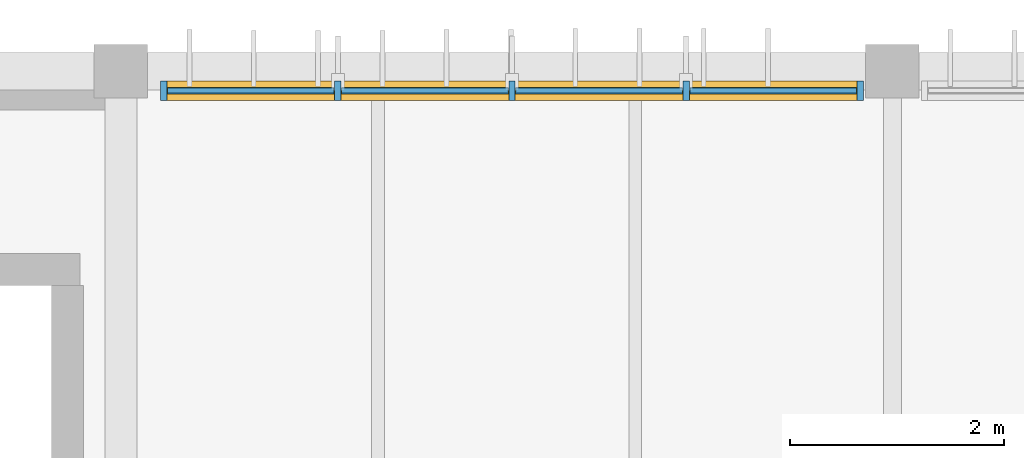
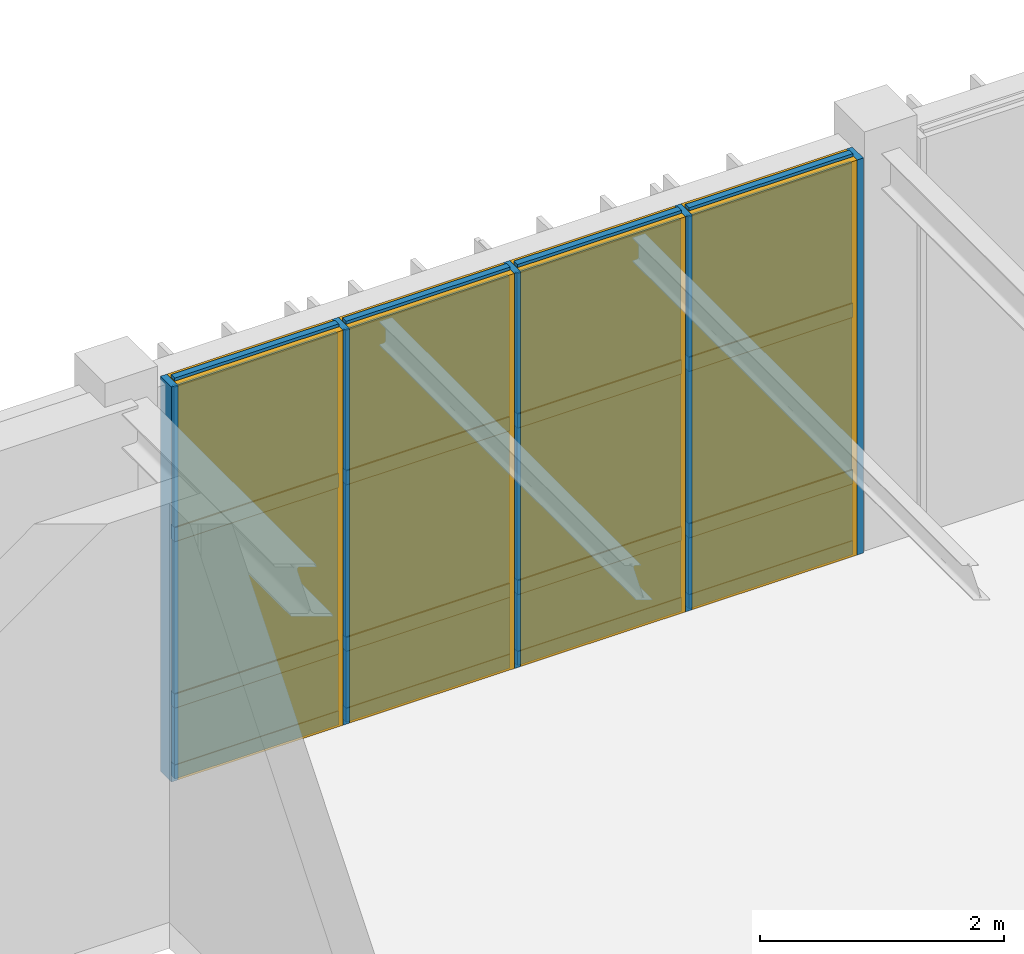
# One storey, part 84 of 104: 21 members, 12 plates, 1 curtain wall.
"""IFC4 building model written with IfcOpenShell, lengths in metres."""

from ifc_helpers import new_model, si_unit, direction, frame, frame_2d, origin, origin_2d, place, context, subcontext, project, spatial, rectangle, extrude, material, layer, layer_set, material_profile, profile_set, type_object, element, aggregate, save


model = new_model("IFC4")

# Units and contexts
model_context = context("Model", 3, precision=1e-05, world=origin(), true_north=direction((0.0, 1.0)))
body_context = subcontext(model_context, "Body", "Model", "MODEL_VIEW")
ifc_project = project(units=[si_unit("LENGTHUNIT", "METRE"), si_unit("AREAUNIT", "SQUARE_METRE"), si_unit("VOLUMEUNIT", "CUBIC_METRE"), si_unit("PLANEANGLEUNIT", "RADIAN"), si_unit("MASSUNIT", "GRAM", prefix="KILO")], contexts=[model_context])

# Member
ifc_material_1 = material(Name="Anodised Bronze Aluminium 6063-T6", Category="aluminium")
ifc_material_profile_1 = material_profile(ifc_material_1, rectangle(XDim=0.06005859375, YDim=0.179931640625, at=origin_2d()), Name="ALU MULLION 60x180")
ifc_profile_set_1 = profile_set([ifc_material_profile_1], Name="Anodised Bronze Aluminium 6063-T6")
member_type_1 = type_object("IfcMemberType", Name="Curtain-Wall Primary Mullion 60x180", PredefinedType="MULLION", material=ifc_profile_set_1)
site_placement = place(None, origin())
building_placement = place(site_placement, origin())
storey_placement = place(building_placement, frame((0.0, 0.0, 9.0)))
member_1_placement = place(storey_placement, frame((103.0, 111.6201171875, 0.0), z_axis=(0.0, 0.0, 1.0), x_axis=(1.0, 0.0, 0.0)))
member_1 = element("IfcMember", 1, at=member_1_placement, type_object=member_type_1, Name="Mullion CWM-01 CW-V3-N1-L02-B1-M01", PredefinedType="MULLION", context=body_context, shape_type="SweptSolid", body=[
    extrude(rectangle(XDim=0.06005859375, YDim=0.179931640625, at=origin_2d()), origin(), (0.0, 0.0, 1.0), 3.9599609375),
])

member_2_placement = place(storey_placement, frame((104.625, 111.6201171875, 0.0), z_axis=(0.0, 0.0, 1.0), x_axis=(1.0, 0.0, 0.0)))
member_2 = element("IfcMember", 2, at=member_2_placement, type_object=member_type_1, Name="Mullion CWM-01 CW-V3-N1-L02-B1-M02", PredefinedType="MULLION", context=body_context, shape_type="SweptSolid", body=[
    extrude(rectangle(XDim=0.06005859375, YDim=0.179931640625, at=origin_2d()), origin(), (0.0, 0.0, 1.0), 3.9599609375),
])

member_3_placement = place(storey_placement, frame((106.25, 111.6201171875, 0.0), z_axis=(0.0, 0.0, 1.0), x_axis=(1.0, 0.0, 0.0)))
member_3 = element("IfcMember", 3, at=member_3_placement, type_object=member_type_1, Name="Mullion CWM-01 CW-V3-N1-L02-B1-M03", PredefinedType="MULLION", context=body_context, shape_type="SweptSolid", body=[
    extrude(rectangle(XDim=0.06005859375, YDim=0.179931640625, at=origin_2d()), origin(), (0.0, 0.0, 1.0), 3.9599609375),
])

member_4_placement = place(storey_placement, frame((107.875, 111.6201171875, 0.0), z_axis=(0.0, 0.0, 1.0), x_axis=(1.0, 0.0, 0.0)))
member_4 = element("IfcMember", 4, at=member_4_placement, type_object=member_type_1, Name="Mullion CWM-01 CW-V3-N1-L02-B1-M04", PredefinedType="MULLION", context=body_context, shape_type="SweptSolid", body=[
    extrude(rectangle(XDim=0.06005859375, YDim=0.179931640625, at=origin_2d()), origin(), (0.0, 0.0, 1.0), 3.9599609375),
])

member_5_placement = place(storey_placement, frame((109.5, 111.6201171875, 0.0), z_axis=(0.0, 0.0, 1.0), x_axis=(1.0, 0.0, 0.0)))
member_5 = element("IfcMember", 5, at=member_5_placement, type_object=member_type_1, Name="Mullion CWM-01 CW-V3-N1-L02-B1-M05", PredefinedType="MULLION", context=body_context, shape_type="SweptSolid", body=[
    extrude(rectangle(XDim=0.06005859375, YDim=0.179931640625, at=origin_2d()), origin(), (0.0, 0.0, 1.0), 3.9599609375),
])

ifc_material_profile_2 = material_profile(ifc_material_1, rectangle(XDim=0.06005859375, YDim=0.139892578125, at=origin_2d()), Name="ALU TRANSOM 60x140")
ifc_profile_set_2 = profile_set([ifc_material_profile_2], Name="Anodised Bronze Aluminium 6063-T6")
member_type_2 = type_object("IfcMemberType", Name="Curtain-Wall Transom 60x140", PredefinedType="USERDEFINED", material=ifc_profile_set_2)
member_6_placement = place(storey_placement, frame((103.034912109375, 111.6201171875, 0.0400390625), z_axis=(1.0, 0.0, 0.0), x_axis=(0.0, 1.0, 0.0)))
member_6 = element("IfcMember", 6, at=member_6_placement, type_object=member_type_2, Name="Transom CWT-01 CW-V3-N1-L02-B1-T01.1", ObjectType="TRANSOM", PredefinedType="USERDEFINED", context=body_context, shape_type="SweptSolid", body=[
    extrude(rectangle(XDim=0.06005859375, YDim=0.139892578125, at=origin_2d()), origin(), (0.0, 0.0, 1.0), 1.55517578125),
])

member_7_placement = place(storey_placement, frame((103.034912109375, 111.6201171875, 0.75), z_axis=(1.0, 0.0, 0.0), x_axis=(0.0, 1.0, 0.0)))
member_7 = element("IfcMember", 7, at=member_7_placement, type_object=member_type_2, Name="Transom CWT-01 CW-V3-N1-L02-B1-T01.2", ObjectType="TRANSOM", PredefinedType="USERDEFINED", context=body_context, shape_type="SweptSolid", body=[
    extrude(rectangle(XDim=0.06005859375, YDim=0.139892578125, at=origin_2d()), origin(), (0.0, 0.0, 1.0), 1.55517578125),
])

member_8_placement = place(storey_placement, frame((103.034912109375, 111.6201171875, 2.419189453125), z_axis=(1.0, 0.0, 0.0), x_axis=(0.0, 1.0, 0.0)))
member_8 = element("IfcMember", 8, at=member_8_placement, type_object=member_type_2, Name="Transom CWT-01 CW-V3-N1-L02-B1-T01.3", ObjectType="TRANSOM", PredefinedType="USERDEFINED", context=body_context, shape_type="SweptSolid", body=[
    extrude(rectangle(XDim=0.06005859375, YDim=0.139892578125, at=origin_2d()), origin(), (0.0, 0.0, 1.0), 1.55517578125),
])

member_9_placement = place(storey_placement, frame((103.034912109375, 111.6201171875, 3.919921875), z_axis=(1.0, 0.0, 0.0), x_axis=(0.0, 1.0, 0.0)))
member_9 = element("IfcMember", 9, at=member_9_placement, type_object=member_type_2, Name="Transom CWT-01 CW-V3-N1-L02-B1-T01.4", ObjectType="TRANSOM", PredefinedType="USERDEFINED", context=body_context, shape_type="SweptSolid", body=[
    extrude(rectangle(XDim=0.06005859375, YDim=0.139892578125, at=origin_2d()), origin(), (0.0, 0.0, 1.0), 1.55517578125),
])

member_10_placement = place(storey_placement, frame((104.659912109375, 111.6201171875, 0.0400390625), z_axis=(1.0, 0.0, 0.0), x_axis=(0.0, 1.0, 0.0)))
member_10 = element("IfcMember", 10, at=member_10_placement, type_object=member_type_2, Name="Transom CWT-01 CW-V3-N1-L02-B1-T02.1", ObjectType="TRANSOM", PredefinedType="USERDEFINED", context=body_context, shape_type="SweptSolid", body=[
    extrude(rectangle(XDim=0.06005859375, YDim=0.139892578125, at=origin_2d()), origin(), (0.0, 0.0, 1.0), 1.55517578125),
])

member_11_placement = place(storey_placement, frame((104.659912109375, 111.6201171875, 0.75), z_axis=(1.0, 0.0, 0.0), x_axis=(0.0, 1.0, 0.0)))
member_11 = element("IfcMember", 11, at=member_11_placement, type_object=member_type_2, Name="Transom CWT-01 CW-V3-N1-L02-B1-T02.2", ObjectType="TRANSOM", PredefinedType="USERDEFINED", context=body_context, shape_type="SweptSolid", body=[
    extrude(rectangle(XDim=0.06005859375, YDim=0.139892578125, at=origin_2d()), origin(), (0.0, 0.0, 1.0), 1.55517578125),
])

member_12_placement = place(storey_placement, frame((104.659912109375, 111.6201171875, 2.419189453125), z_axis=(1.0, 0.0, 0.0), x_axis=(0.0, 1.0, 0.0)))
member_12 = element("IfcMember", 12, at=member_12_placement, type_object=member_type_2, Name="Transom CWT-01 CW-V3-N1-L02-B1-T02.3", ObjectType="TRANSOM", PredefinedType="USERDEFINED", context=body_context, shape_type="SweptSolid", body=[
    extrude(rectangle(XDim=0.06005859375, YDim=0.139892578125, at=origin_2d()), origin(), (0.0, 0.0, 1.0), 1.55517578125),
])

member_13_placement = place(storey_placement, frame((104.659912109375, 111.6201171875, 3.919921875), z_axis=(1.0, 0.0, 0.0), x_axis=(0.0, 1.0, 0.0)))
member_13 = element("IfcMember", 13, at=member_13_placement, type_object=member_type_2, Name="Transom CWT-01 CW-V3-N1-L02-B1-T02.4", ObjectType="TRANSOM", PredefinedType="USERDEFINED", context=body_context, shape_type="SweptSolid", body=[
    extrude(rectangle(XDim=0.06005859375, YDim=0.139892578125, at=origin_2d()), origin(), (0.0, 0.0, 1.0), 1.55517578125),
])

member_14_placement = place(storey_placement, frame((106.284912109375, 111.6201171875, 0.0400390625), z_axis=(1.0, 0.0, 0.0), x_axis=(0.0, 1.0, 0.0)))
member_14 = element("IfcMember", 14, at=member_14_placement, type_object=member_type_2, Name="Transom CWT-01 CW-V3-N1-L02-B1-T03.1", ObjectType="TRANSOM", PredefinedType="USERDEFINED", context=body_context, shape_type="SweptSolid", body=[
    extrude(rectangle(XDim=0.06005859375, YDim=0.139892578125, at=origin_2d()), origin(), (0.0, 0.0, 1.0), 1.55517578125),
])

member_15_placement = place(storey_placement, frame((106.284912109375, 111.6201171875, 0.75), z_axis=(1.0, 0.0, 0.0), x_axis=(0.0, 1.0, 0.0)))
member_15 = element("IfcMember", 15, at=member_15_placement, type_object=member_type_2, Name="Transom CWT-01 CW-V3-N1-L02-B1-T03.2", ObjectType="TRANSOM", PredefinedType="USERDEFINED", context=body_context, shape_type="SweptSolid", body=[
    extrude(rectangle(XDim=0.06005859375, YDim=0.139892578125, at=origin_2d()), origin(), (0.0, 0.0, 1.0), 1.55517578125),
])

member_16_placement = place(storey_placement, frame((106.284912109375, 111.6201171875, 2.419189453125), z_axis=(1.0, 0.0, 0.0), x_axis=(0.0, 1.0, 0.0)))
member_16 = element("IfcMember", 16, at=member_16_placement, type_object=member_type_2, Name="Transom CWT-01 CW-V3-N1-L02-B1-T03.3", ObjectType="TRANSOM", PredefinedType="USERDEFINED", context=body_context, shape_type="SweptSolid", body=[
    extrude(rectangle(XDim=0.06005859375, YDim=0.139892578125, at=origin_2d()), origin(), (0.0, 0.0, 1.0), 1.55517578125),
])

member_17_placement = place(storey_placement, frame((106.284912109375, 111.6201171875, 3.919921875), z_axis=(1.0, 0.0, 0.0), x_axis=(0.0, 1.0, 0.0)))
member_17 = element("IfcMember", 17, at=member_17_placement, type_object=member_type_2, Name="Transom CWT-01 CW-V3-N1-L02-B1-T03.4", ObjectType="TRANSOM", PredefinedType="USERDEFINED", context=body_context, shape_type="SweptSolid", body=[
    extrude(rectangle(XDim=0.06005859375, YDim=0.139892578125, at=origin_2d()), origin(), (0.0, 0.0, 1.0), 1.55517578125),
])

member_18_placement = place(storey_placement, frame((107.909912109375, 111.6201171875, 0.0400390625), z_axis=(1.0, 0.0, 0.0), x_axis=(0.0, 1.0, 0.0)))
member_18 = element("IfcMember", 18, at=member_18_placement, type_object=member_type_2, Name="Transom CWT-01 CW-V3-N1-L02-B1-T04.1", ObjectType="TRANSOM", PredefinedType="USERDEFINED", context=body_context, shape_type="SweptSolid", body=[
    extrude(rectangle(XDim=0.06005859375, YDim=0.139892578125, at=origin_2d()), origin(), (0.0, 0.0, 1.0), 1.55517578125),
])

member_19_placement = place(storey_placement, frame((107.909912109375, 111.6201171875, 0.75), z_axis=(1.0, 0.0, 0.0), x_axis=(0.0, 1.0, 0.0)))
member_19 = element("IfcMember", 19, at=member_19_placement, type_object=member_type_2, Name="Transom CWT-01 CW-V3-N1-L02-B1-T04.2", ObjectType="TRANSOM", PredefinedType="USERDEFINED", context=body_context, shape_type="SweptSolid", body=[
    extrude(rectangle(XDim=0.06005859375, YDim=0.139892578125, at=origin_2d()), origin(), (0.0, 0.0, 1.0), 1.55517578125),
])

member_20_placement = place(storey_placement, frame((107.909912109375, 111.6201171875, 2.419189453125), z_axis=(1.0, 0.0, 0.0), x_axis=(0.0, 1.0, 0.0)))
member_20 = element("IfcMember", 20, at=member_20_placement, type_object=member_type_2, Name="Transom CWT-01 CW-V3-N1-L02-B1-T04.3", ObjectType="TRANSOM", PredefinedType="USERDEFINED", context=body_context, shape_type="SweptSolid", body=[
    extrude(rectangle(XDim=0.06005859375, YDim=0.139892578125, at=origin_2d()), origin(), (0.0, 0.0, 1.0), 1.55517578125),
])

member_21_placement = place(storey_placement, frame((107.909912109375, 111.6201171875, 3.919921875), z_axis=(1.0, 0.0, 0.0), x_axis=(0.0, 1.0, 0.0)))
member_21 = element("IfcMember", 21, at=member_21_placement, type_object=member_type_2, Name="Transom CWT-01 CW-V3-N1-L02-B1-T04.4", ObjectType="TRANSOM", PredefinedType="USERDEFINED", context=body_context, shape_type="SweptSolid", body=[
    extrude(rectangle(XDim=0.06005859375, YDim=0.139892578125, at=origin_2d()), origin(), (0.0, 0.0, 1.0), 1.55517578125),
])

# Plate
ifc_material_2 = material(Name="Insulated Bronze Aluminium Spandrel Panel", Category="aluminium")
ifc_layer_1 = layer(ifc_material_2, 0.050048828125, Name="Insulated Bronze Aluminium Spandrel Panel")
ifc_layer_set_1 = layer_set([ifc_layer_1], Name="Insulated Bronze Aluminium Spandrel Panel")
plate_type_1 = type_object("IfcPlateType", Name="Insulated Anodised Aluminium Spandrel Cassette 50", PredefinedType="CURTAIN_PANEL", material=ifc_layer_set_1)
plate_1_placement = place(storey_placement, frame((103.8125, 111.6201171875, 0.070068359375), z_axis=(0.0, 0.0, 1.0), x_axis=(1.0, 0.0, 0.0)))
plate_1 = element("IfcPlate", 22, at=plate_1_placement, type_object=plate_type_1, Name="Curtain Panel CWP-03 CW-V3-N1-L02-B1-P01.1", PredefinedType="CURTAIN_PANEL", context=body_context, shape_type="SweptSolid", body=[
    extrude(rectangle(XDim=1.554931640625, YDim=0.050048828125, at=origin_2d()), origin(), (0.0, 0.0, 1.0), 0.64990234375),
])

plate_2_placement = place(storey_placement, frame((105.4375, 111.6201171875, 0.070068359375), z_axis=(0.0, 0.0, 1.0), x_axis=(1.0, 0.0, 0.0)))
plate_2 = element("IfcPlate", 23, at=plate_2_placement, type_object=plate_type_1, Name="Curtain Panel CWP-03 CW-V3-N1-L02-B1-P02.1", PredefinedType="CURTAIN_PANEL", context=body_context, shape_type="SweptSolid", body=[
    extrude(rectangle(XDim=1.554931640625, YDim=0.050048828125, at=origin_2d()), origin(), (0.0, 0.0, 1.0), 0.64990234375),
])

plate_3_placement = place(storey_placement, frame((107.0625, 111.6201171875, 0.070068359375), z_axis=(0.0, 0.0, 1.0), x_axis=(1.0, 0.0, 0.0)))
plate_3 = element("IfcPlate", 24, at=plate_3_placement, type_object=plate_type_1, Name="Curtain Panel CWP-03 CW-V3-N1-L02-B1-P03.1", PredefinedType="CURTAIN_PANEL", context=body_context, shape_type="SweptSolid", body=[
    extrude(rectangle(XDim=1.554931640625, YDim=0.050048828125, at=origin_2d()), origin(), (0.0, 0.0, 1.0), 0.64990234375),
])

plate_4_placement = place(storey_placement, frame((108.6875, 111.6201171875, 0.070068359375), z_axis=(0.0, 0.0, 1.0), x_axis=(1.0, 0.0, 0.0)))
plate_4 = element("IfcPlate", 25, at=plate_4_placement, type_object=plate_type_1, Name="Curtain Panel CWP-03 CW-V3-N1-L02-B1-P04.1", PredefinedType="CURTAIN_PANEL", context=body_context, shape_type="SweptSolid", body=[
    extrude(rectangle(XDim=1.554931640625, YDim=0.050048828125, at=origin_2d()), origin(), (0.0, 0.0, 1.0), 0.64990234375),
])

ifc_material_3 = material(Name="Solar-Control Tempered Double Glazing", Category="glass")
ifc_layer_2 = layer(ifc_material_3, 0.0380859375, Name="Solar-Control Tempered Double Glazing")
ifc_layer_set_2 = layer_set([ifc_layer_2], Name="Solar-Control Tempered Double Glazing")
plate_type_2 = type_object("IfcPlateType", Name="Solar-Control Vision Glazing Unit 38", PredefinedType="CURTAIN_PANEL", material=ifc_layer_set_2)
plate_5_placement = place(storey_placement, frame((103.8125, 111.6201171875, 0.7802734375), z_axis=(0.0, 0.0, 1.0), x_axis=(1.0, 0.0, 0.0)))
plate_5 = element("IfcPlate", 26, at=plate_5_placement, type_object=plate_type_2, Name="Curtain Panel CWP-02 CW-V3-N1-L02-B1-P01.2", PredefinedType="CURTAIN_PANEL", context=body_context, shape_type="SweptSolid", body=[
    extrude(rectangle(XDim=1.554931640625, YDim=0.0380859375, at=origin_2d()), origin(), (0.0, 0.0, 1.0), 1.609130859375),
])

plate_6_placement = place(storey_placement, frame((103.8125, 111.6201171875, 2.44921875), z_axis=(0.0, 0.0, 1.0), x_axis=(1.0, 0.0, 0.0)))
plate_6 = element("IfcPlate", 27, at=plate_6_placement, type_object=plate_type_2, Name="Curtain Panel CWP-02 CW-V3-N1-L02-B1-P01.3", PredefinedType="CURTAIN_PANEL", context=body_context, shape_type="SweptSolid", body=[
    extrude(rectangle(XDim=1.554931640625, YDim=0.0380859375, at=origin_2d()), origin(), (0.0, 0.0, 1.0), 1.44091796875),
])

plate_7_placement = place(storey_placement, frame((105.4375, 111.6201171875, 0.7802734375), z_axis=(0.0, 0.0, 1.0), x_axis=(1.0, 0.0, 0.0)))
plate_7 = element("IfcPlate", 28, at=plate_7_placement, type_object=plate_type_2, Name="Curtain Panel CWP-02 CW-V3-N1-L02-B1-P02.2", PredefinedType="CURTAIN_PANEL", context=body_context, shape_type="SweptSolid", body=[
    extrude(rectangle(XDim=1.554931640625, YDim=0.0380859375, at=origin_2d()), origin(), (0.0, 0.0, 1.0), 1.609130859375),
])

plate_8_placement = place(storey_placement, frame((105.4375, 111.6201171875, 2.44921875), z_axis=(0.0, 0.0, 1.0), x_axis=(1.0, 0.0, 0.0)))
plate_8 = element("IfcPlate", 29, at=plate_8_placement, type_object=plate_type_2, Name="Curtain Panel CWP-02 CW-V3-N1-L02-B1-P02.3", PredefinedType="CURTAIN_PANEL", context=body_context, shape_type="SweptSolid", body=[
    extrude(rectangle(XDim=1.554931640625, YDim=0.0380859375, at=origin_2d()), origin(), (0.0, 0.0, 1.0), 1.44091796875),
])

plate_9_placement = place(storey_placement, frame((107.0625, 111.6201171875, 0.7802734375), z_axis=(0.0, 0.0, 1.0), x_axis=(1.0, 0.0, 0.0)))
plate_9 = element("IfcPlate", 30, at=plate_9_placement, type_object=plate_type_2, Name="Curtain Panel CWP-02 CW-V3-N1-L02-B1-P03.2", PredefinedType="CURTAIN_PANEL", context=body_context, shape_type="SweptSolid", body=[
    extrude(rectangle(XDim=1.554931640625, YDim=0.0380859375, at=origin_2d()), origin(), (0.0, 0.0, 1.0), 1.609130859375),
])

plate_10_placement = place(storey_placement, frame((107.0625, 111.6201171875, 2.44921875), z_axis=(0.0, 0.0, 1.0), x_axis=(1.0, 0.0, 0.0)))
plate_10 = element("IfcPlate", 31, at=plate_10_placement, type_object=plate_type_2, Name="Curtain Panel CWP-02 CW-V3-N1-L02-B1-P03.3", PredefinedType="CURTAIN_PANEL", context=body_context, shape_type="SweptSolid", body=[
    extrude(rectangle(XDim=1.554931640625, YDim=0.0380859375, at=origin_2d()), origin(), (0.0, 0.0, 1.0), 1.44091796875),
])

plate_11_placement = place(storey_placement, frame((108.6875, 111.6201171875, 0.7802734375), z_axis=(0.0, 0.0, 1.0), x_axis=(1.0, 0.0, 0.0)))
plate_11 = element("IfcPlate", 32, at=plate_11_placement, type_object=plate_type_2, Name="Curtain Panel CWP-02 CW-V3-N1-L02-B1-P04.2", PredefinedType="CURTAIN_PANEL", context=body_context, shape_type="SweptSolid", body=[
    extrude(rectangle(XDim=1.554931640625, YDim=0.0380859375, at=origin_2d()), origin(), (0.0, 0.0, 1.0), 1.609130859375),
])

plate_12_placement = place(storey_placement, frame((108.6875, 111.6201171875, 2.44921875), z_axis=(0.0, 0.0, 1.0), x_axis=(1.0, 0.0, 0.0)))
plate_12 = element("IfcPlate", 33, at=plate_12_placement, type_object=plate_type_2, Name="Curtain Panel CWP-02 CW-V3-N1-L02-B1-P04.3", PredefinedType="CURTAIN_PANEL", context=body_context, shape_type="SweptSolid", body=[
    extrude(rectangle(XDim=1.554931640625, YDim=0.0380859375, at=origin_2d()), origin(), (0.0, 0.0, 1.0), 1.44091796875),
])

# Site, building, storey
site = spatial("IfcSite", under=ifc_project, at=site_placement, CompositionType="ELEMENT")
building = spatial("IfcBuilding", under=site, at=building_placement, Name="Tazoul Stagehouse", CompositionType="ELEMENT")
storey = spatial("IfcBuildingStorey", under=building, at=storey_placement, Name="L02", CompositionType="ELEMENT", Elevation=9.0)

# Curtain wall
curtain_wall_type = type_object("IfcCurtainWallType", Name="Rehearsal North Daylight Curtain Wall", PredefinedType="NOTDEFINED", material=ifc_material_1)
curtain_wall_placement = place(storey_placement, frame((103.0, 111.6201171875, 0.0), z_axis=(0.0, 0.0, 1.0), x_axis=(1.0, 0.0, 0.0)))
curtain_wall = element("IfcCurtainWall", 34, at=curtain_wall_placement, inside=storey, type_object=curtain_wall_type, Name="L02 Curtain Wall CW-04 (CW-V3-N1-L02-B1)", PredefinedType="NOTDEFINED", context=body_context, shape_type="SweptSolid", body=[
    extrude(rectangle(XDim=6.5, YDim=0.179931640625, at=frame_2d((3.25, 0.0))), origin(), (0.0, 0.0, 1.0), 3.9599609375),
])

aggregate(curtain_wall, [member_1, member_2, member_3, member_4, member_5, member_6, member_7, member_8, member_9, plate_1, plate_5, plate_6, member_10, member_11, member_12, member_13, plate_2, plate_7, plate_8, member_14, member_15, member_16, member_17, plate_3, plate_9, plate_10, member_18, member_19, member_20, member_21, plate_4, plate_11, plate_12])

save(model, "model.ifc")
